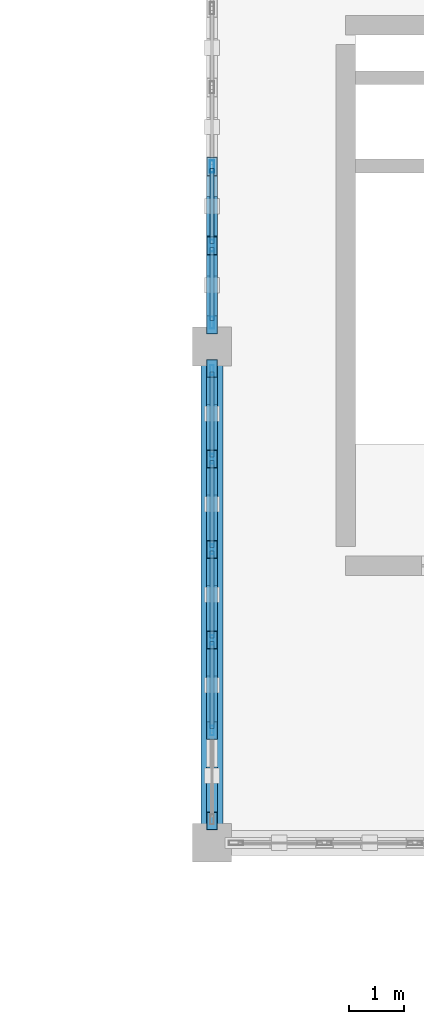
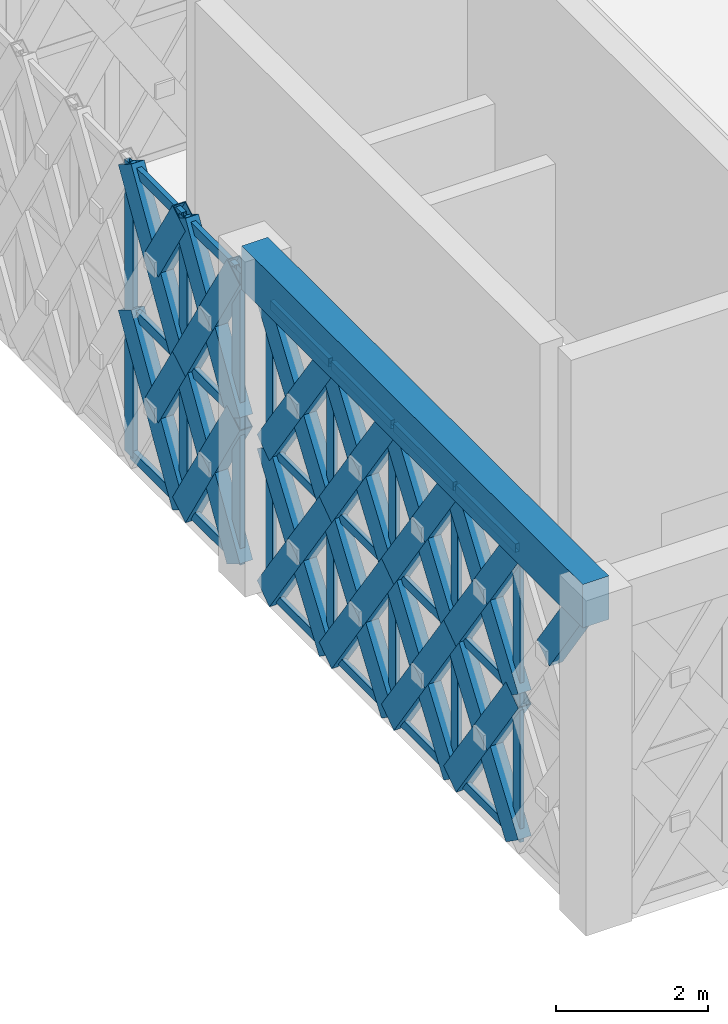
# One storey, part 35 of 72: 61 members, 1 beam, 2 elements without a shape of their own.
"""IFC4 building model written with IfcOpenShell, lengths in metres."""

from ifc_helpers import new_model, si_unit, direction, frame, origin, origin_2d, place, context, subcontext, project, spatial, rectangle, hollow_rectangle, extrude, material, material_profile, profile_set, type_object, element, aggregate, save


model = new_model("IFC4")

# Units and contexts
model_context = context("Model", 3, precision=1e-05, world=origin(), true_north=direction((0.0, 1.0)))
body_context = subcontext(model_context, "Body", "Model", "MODEL_VIEW")
ifc_project = project(units=[si_unit("LENGTHUNIT", "METRE"), si_unit("AREAUNIT", "SQUARE_METRE"), si_unit("VOLUMEUNIT", "CUBIC_METRE"), si_unit("PLANEANGLEUNIT", "RADIAN"), si_unit("MASSUNIT", "GRAM", prefix="KILO")], contexts=[model_context])

# Site, building, storey
site_placement = place(None, origin())
site = spatial("IfcSite", under=ifc_project, at=site_placement, CompositionType="ELEMENT")
building_placement = place(site_placement, origin())
building = spatial("IfcBuilding", under=site, at=building_placement, Name="Haizhuo Lancet Aquarium", CompositionType="ELEMENT")
storey_placement = place(building_placement, frame((0.0, 0.0, 21.60009765625)))
storey = spatial("IfcBuildingStorey", under=building, at=storey_placement, Name="L04", CompositionType="ELEMENT", Elevation=21.60009765625)

# Beam
ifc_material_1 = material(Name="Concrete C40/50", Category="concrete")
ifc_material_profile_1 = material_profile(ifc_material_1, rectangle(XDim=0.39990234375, YDim=0.699951171875, at=origin_2d()), Name="RC-BM 400x700")
ifc_profile_set_1 = profile_set([ifc_material_profile_1], Name="Concrete C40/50")
beam_type = type_object("IfcBeamType", Name="BM-RC-400x700", PredefinedType="BEAM", material=ifc_profile_set_1)
beam_placement = place(storey_placement, frame((-27.0, 36.0, 5.0498046875), z_axis=(0.0, 1.0, 0.0), x_axis=(-1.0, 0.0, 0.0)))
element("IfcBeam", 1, at=beam_placement, inside=storey, type_object=beam_type, Name="L04 V5 primary girder BM-L04-V5-001", PredefinedType="BEAM", context=body_context, shape_type="SweptSolid", body=[
    extrude(rectangle(XDim=0.39990234375, YDim=0.699951171875, at=origin_2d()), origin(), (0.0, 0.0, 1.0), 9.0),
])

# Curtain wall, members
ifc_material_2 = material(Name="Aluminium 6063-T6", Category="aluminium")
curtain_wall_type_1 = type_object("IfcCurtainWallType", Name="CWD-8210x4700", PredefinedType="NOTDEFINED", material=ifc_material_2)
curtain_wall_1_placement = place(storey_placement, origin())
curtain_wall_1 = element("IfcCurtainWall", 2, at=curtain_wall_1_placement, inside=storey, type_object=curtain_wall_type_1, Name="L04 curtain wall CW-V5-L04-190", PredefinedType="NOTDEFINED")
ifc_material_profile_2 = material_profile(ifc_material_2, hollow_rectangle(XDim=0.06494140625, YDim=0.179931640625, WallThickness=0.00390625, at=origin_2d()), Name="ALU-M 65x180x4")
ifc_profile_set_2 = profile_set([ifc_material_profile_2], Name="Aluminium 6063-T6")
member_type_1 = type_object("IfcMemberType", Name="CW-MUL-1", PredefinedType="MULLION", material=ifc_profile_set_2)
member_1_placement = place(storey_placement, frame((-27.0, 38.037109375, 0.0), z_axis=(0.0, 0.0, 1.0), x_axis=(-1.0, 0.0, 0.0)))
member_1 = element("IfcMember", 3, at=member_1_placement, type_object=member_type_1, Name="CWD-82x47 mullion 2", PredefinedType="MULLION", context=body_context, shape_type="SweptSolid", body=[
    extrude(hollow_rectangle(XDim=0.06494140625, YDim=0.179931640625, WallThickness=0.00390625, at=origin_2d()), origin(), (0.0, 0.0, 1.0), 4.699951171875),
])
member_2_placement = place(storey_placement, frame((-27.0, 39.678955078125, 0.0), z_axis=(0.0, 0.0, 1.0), x_axis=(-1.0, 0.0, 0.0)))
member_2 = element("IfcMember", 4, at=member_2_placement, type_object=member_type_1, Name="CWD-82x47 mullion 3", PredefinedType="MULLION", context=body_context, shape_type="SweptSolid", body=[
    extrude(hollow_rectangle(XDim=0.06494140625, YDim=0.179931640625, WallThickness=0.00390625, at=origin_2d()), origin(), (0.0, 0.0, 1.0), 4.699951171875),
])
member_3_placement = place(storey_placement, frame((-27.0, 41.321044921875, 0.0), z_axis=(0.0, 0.0, 1.0), x_axis=(-1.0, 0.0, 0.0)))
member_3 = element("IfcMember", 5, at=member_3_placement, type_object=member_type_1, Name="CWD-82x47 mullion 4", PredefinedType="MULLION", context=body_context, shape_type="SweptSolid", body=[
    extrude(hollow_rectangle(XDim=0.06494140625, YDim=0.179931640625, WallThickness=0.00390625, at=origin_2d()), origin(), (0.0, 0.0, 1.0), 4.699951171875),
])
member_4_placement = place(storey_placement, frame((-27.0, 42.962890625, 0.0), z_axis=(0.0, 0.0, 1.0), x_axis=(-1.0, 0.0, 0.0)))
member_4 = element("IfcMember", 6, at=member_4_placement, type_object=member_type_1, Name="CWD-82x47 mullion 5", PredefinedType="MULLION", context=body_context, shape_type="SweptSolid", body=[
    extrude(hollow_rectangle(XDim=0.06494140625, YDim=0.179931640625, WallThickness=0.00390625, at=origin_2d()), origin(), (0.0, 0.0, 1.0), 4.699951171875),
])
member_5_placement = place(storey_placement, frame((-27.0, 44.572021484375, 0.0), z_axis=(0.0, 0.0, 1.0), x_axis=(-1.0, 0.0, 0.0)))
member_5 = element("IfcMember", 7, at=member_5_placement, type_object=member_type_1, Name="CWD-82x47 mullion 6", PredefinedType="MULLION", context=body_context, shape_type="SweptSolid", body=[
    extrude(hollow_rectangle(XDim=0.06494140625, YDim=0.179931640625, WallThickness=0.00390625, at=origin_2d()), origin(), (0.0, 0.0, 1.0), 4.699951171875),
])

curtain_wall_type_2 = type_object("IfcCurtainWallType", Name="CWD-8600x4700", PredefinedType="NOTDEFINED", material=ifc_material_2)
curtain_wall_2_placement = place(storey_placement, origin())
curtain_wall_2 = element("IfcCurtainWall", 8, at=curtain_wall_2_placement, inside=storey, type_object=curtain_wall_type_2, Name="L04 curtain wall CW-V5-L04-191", PredefinedType="NOTDEFINED")
ifc_material_profile_3 = material_profile(ifc_material_2, hollow_rectangle(XDim=0.074951171875, YDim=0.219970703125, WallThickness=0.0048828125, at=origin_2d()), Name="ALU-M 75x220x5")
ifc_profile_set_3 = profile_set([ifc_material_profile_3], Name="Aluminium 6063-T6")
member_type_2 = type_object("IfcMemberType", Name="CW-MUL-2", PredefinedType="MULLION", material=ifc_profile_set_3)
member_6_placement = place(storey_placement, frame((-27.0, 45.43310546875, 0.0), z_axis=(0.0, 0.0, 1.0), x_axis=(-1.0, 0.0, 0.0)))
member_6 = element("IfcMember", 9, at=member_6_placement, type_object=member_type_2, Name="CWD-86x47 mullion 1", PredefinedType="MULLION", context=body_context, shape_type="SweptSolid", body=[
    extrude(hollow_rectangle(XDim=0.074951171875, YDim=0.219970703125, WallThickness=0.0048828125, at=origin_2d()), origin(), (0.0, 0.0, 1.0), 4.699951171875),
])
member_7_placement = place(storey_placement, frame((-27.0, 46.8291015625, 0.0), z_axis=(0.0, 0.0, 1.0), x_axis=(-1.0, 0.0, 0.0)))
member_7 = element("IfcMember", 10, at=member_7_placement, type_object=member_type_2, Name="CWD-86x47 mullion 2", PredefinedType="MULLION", context=body_context, shape_type="SweptSolid", body=[
    extrude(hollow_rectangle(XDim=0.074951171875, YDim=0.219970703125, WallThickness=0.0048828125, at=origin_2d()), origin(), (0.0, 0.0, 1.0), 4.699951171875),
])
member_8_placement = place(storey_placement, frame((-27.0, 48.262939453125, 0.0), z_axis=(0.0, 0.0, 1.0), x_axis=(-1.0, 0.0, 0.0)))
member_8 = element("IfcMember", 11, at=member_8_placement, type_object=member_type_2, Name="CWD-86x47 mullion 3", PredefinedType="MULLION", context=body_context, shape_type="SweptSolid", body=[
    extrude(hollow_rectangle(XDim=0.074951171875, YDim=0.219970703125, WallThickness=0.0048828125, at=origin_2d()), origin(), (0.0, 0.0, 1.0), 4.699951171875),
])

# Member
ifc_material_profile_4 = material_profile(ifc_material_2, hollow_rectangle(XDim=0.06494140625, YDim=0.139892578125, WallThickness=0.00390625, at=origin_2d()), Name="ALU-T 65x140x4")
ifc_profile_set_4 = profile_set([ifc_material_profile_4], Name="Aluminium 6063-T6")
member_type_3 = type_object("IfcMemberType", Name="CW-TRN-1", PredefinedType="NOTDEFINED", material=ifc_profile_set_4)
member_9_placement = place(storey_placement, frame((-27.0, 38.070068359375, 0.032958984375), z_axis=(0.0, 1.0, 0.0), x_axis=(-1.0, 0.0, 0.0)))
member_9 = element("IfcMember", 12, at=member_9_placement, type_object=member_type_3, Name="CWD-82x47 transom 2.1", ObjectType="TRANSOM", PredefinedType="USERDEFINED", context=body_context, shape_type="SweptSolid", body=[
    extrude(hollow_rectangle(XDim=0.06494140625, YDim=0.139892578125, WallThickness=0.00390625, at=origin_2d()), origin(), (0.0, 0.0, 1.0), 1.576904296875),
])

member_10_placement = place(storey_placement, frame((-27.0, 38.070068359375, 2.349853515625), z_axis=(0.0, 1.0, 0.0), x_axis=(-1.0, 0.0, 0.0)))
member_10 = element("IfcMember", 13, at=member_10_placement, type_object=member_type_3, Name="CWD-82x47 transom 2.2", ObjectType="TRANSOM", PredefinedType="USERDEFINED", context=body_context, shape_type="SweptSolid", body=[
    extrude(hollow_rectangle(XDim=0.06494140625, YDim=0.139892578125, WallThickness=0.00390625, at=origin_2d()), origin(), (0.0, 0.0, 1.0), 1.576904296875),
])

member_11_placement = place(storey_placement, frame((-27.0, 38.070068359375, 4.66796875), z_axis=(0.0, 1.0, 0.0), x_axis=(-1.0, 0.0, 0.0)))
member_11 = element("IfcMember", 14, at=member_11_placement, type_object=member_type_3, Name="CWD-82x47 transom 2.3", ObjectType="TRANSOM", PredefinedType="USERDEFINED", context=body_context, shape_type="SweptSolid", body=[
    extrude(hollow_rectangle(XDim=0.06494140625, YDim=0.139892578125, WallThickness=0.00390625, at=origin_2d()), origin(), (0.0, 0.0, 1.0), 1.576904296875),
])

member_12_placement = place(storey_placement, frame((-27.0, 39.7119140625, 0.032958984375), z_axis=(0.0, 1.0, 0.0), x_axis=(-1.0, 0.0, 0.0)))
member_12 = element("IfcMember", 15, at=member_12_placement, type_object=member_type_3, Name="CWD-82x47 transom 3.1", ObjectType="TRANSOM", PredefinedType="USERDEFINED", context=body_context, shape_type="SweptSolid", body=[
    extrude(hollow_rectangle(XDim=0.06494140625, YDim=0.139892578125, WallThickness=0.00390625, at=origin_2d()), origin(), (0.0, 0.0, 1.0), 1.576171875),
])

member_13_placement = place(storey_placement, frame((-27.0, 39.7119140625, 2.349853515625), z_axis=(0.0, 1.0, 0.0), x_axis=(-1.0, 0.0, 0.0)))
member_13 = element("IfcMember", 16, at=member_13_placement, type_object=member_type_3, Name="CWD-82x47 transom 3.2", ObjectType="TRANSOM", PredefinedType="USERDEFINED", context=body_context, shape_type="SweptSolid", body=[
    extrude(hollow_rectangle(XDim=0.06494140625, YDim=0.139892578125, WallThickness=0.00390625, at=origin_2d()), origin(), (0.0, 0.0, 1.0), 1.576171875),
])

member_14_placement = place(storey_placement, frame((-27.0, 39.7119140625, 4.66796875), z_axis=(0.0, 1.0, 0.0), x_axis=(-1.0, 0.0, 0.0)))
member_14 = element("IfcMember", 17, at=member_14_placement, type_object=member_type_3, Name="CWD-82x47 transom 3.3", ObjectType="TRANSOM", PredefinedType="USERDEFINED", context=body_context, shape_type="SweptSolid", body=[
    extrude(hollow_rectangle(XDim=0.06494140625, YDim=0.139892578125, WallThickness=0.00390625, at=origin_2d()), origin(), (0.0, 0.0, 1.0), 1.576171875),
])

member_15_placement = place(storey_placement, frame((-27.0, 41.35302734375, 0.032958984375), z_axis=(0.0, 1.0, 0.0), x_axis=(-1.0, 0.0, 0.0)))
member_15 = element("IfcMember", 18, at=member_15_placement, type_object=member_type_3, Name="CWD-82x47 transom 4.1", ObjectType="TRANSOM", PredefinedType="USERDEFINED", context=body_context, shape_type="SweptSolid", body=[
    extrude(hollow_rectangle(XDim=0.06494140625, YDim=0.139892578125, WallThickness=0.00390625, at=origin_2d()), origin(), (0.0, 0.0, 1.0), 1.576904296875),
])

member_16_placement = place(storey_placement, frame((-27.0, 41.35302734375, 2.349853515625), z_axis=(0.0, 1.0, 0.0), x_axis=(-1.0, 0.0, 0.0)))
member_16 = element("IfcMember", 19, at=member_16_placement, type_object=member_type_3, Name="CWD-82x47 transom 4.2", ObjectType="TRANSOM", PredefinedType="USERDEFINED", context=body_context, shape_type="SweptSolid", body=[
    extrude(hollow_rectangle(XDim=0.06494140625, YDim=0.139892578125, WallThickness=0.00390625, at=origin_2d()), origin(), (0.0, 0.0, 1.0), 1.576904296875),
])

member_17_placement = place(storey_placement, frame((-27.0, 41.35302734375, 4.66796875), z_axis=(0.0, 1.0, 0.0), x_axis=(-1.0, 0.0, 0.0)))
member_17 = element("IfcMember", 20, at=member_17_placement, type_object=member_type_3, Name="CWD-82x47 transom 4.3", ObjectType="TRANSOM", PredefinedType="USERDEFINED", context=body_context, shape_type="SweptSolid", body=[
    extrude(hollow_rectangle(XDim=0.06494140625, YDim=0.139892578125, WallThickness=0.00390625, at=origin_2d()), origin(), (0.0, 0.0, 1.0), 1.576904296875),
])

member_18_placement = place(storey_placement, frame((-27.0, 42.9951171875, 0.032958984375), z_axis=(0.0, 1.0, 0.0), x_axis=(-1.0, 0.0, 0.0)))
member_18 = element("IfcMember", 21, at=member_18_placement, type_object=member_type_3, Name="CWD-82x47 transom 5.1", ObjectType="TRANSOM", PredefinedType="USERDEFINED", context=body_context, shape_type="SweptSolid", body=[
    extrude(hollow_rectangle(XDim=0.06494140625, YDim=0.139892578125, WallThickness=0.00390625, at=origin_2d()), origin(), (0.0, 0.0, 1.0), 1.544921875),
])

member_19_placement = place(storey_placement, frame((-27.0, 42.9951171875, 2.349853515625), z_axis=(0.0, 1.0, 0.0), x_axis=(-1.0, 0.0, 0.0)))
member_19 = element("IfcMember", 22, at=member_19_placement, type_object=member_type_3, Name="CWD-82x47 transom 5.2", ObjectType="TRANSOM", PredefinedType="USERDEFINED", context=body_context, shape_type="SweptSolid", body=[
    extrude(hollow_rectangle(XDim=0.06494140625, YDim=0.139892578125, WallThickness=0.00390625, at=origin_2d()), origin(), (0.0, 0.0, 1.0), 1.544921875),
])

member_20_placement = place(storey_placement, frame((-27.0, 42.9951171875, 4.66796875), z_axis=(0.0, 1.0, 0.0), x_axis=(-1.0, 0.0, 0.0)))
member_20 = element("IfcMember", 23, at=member_20_placement, type_object=member_type_3, Name="CWD-82x47 transom 5.3", ObjectType="TRANSOM", PredefinedType="USERDEFINED", context=body_context, shape_type="SweptSolid", body=[
    extrude(hollow_rectangle(XDim=0.06494140625, YDim=0.139892578125, WallThickness=0.00390625, at=origin_2d()), origin(), (0.0, 0.0, 1.0), 1.544921875),
])

aggregate(curtain_wall_1, [member_1, member_2, member_3, member_4, member_5, member_9, member_10, member_11, member_12, member_13, member_14, member_15, member_16, member_17, member_18, member_19, member_20])

ifc_material_profile_5 = material_profile(ifc_material_2, hollow_rectangle(XDim=0.074951171875, YDim=0.159912109375, WallThickness=0.00390625, at=origin_2d()), Name="ALU-T 75x160x4")
ifc_profile_set_5 = profile_set([ifc_material_profile_5], Name="Aluminium 6063-T6")
member_type_4 = type_object("IfcMemberType", Name="CW-TRN-2", PredefinedType="NOTDEFINED", material=ifc_profile_set_5)
member_21_placement = place(storey_placement, frame((-27.0, 45.469970703125, 0.037841796875), z_axis=(0.0, 1.0, 0.0), x_axis=(-1.0, 0.0, 0.0)))
member_21 = element("IfcMember", 24, at=member_21_placement, type_object=member_type_4, Name="CWD-86x47 transom 1.1", ObjectType="TRANSOM", PredefinedType="USERDEFINED", context=body_context, shape_type="SweptSolid", body=[
    extrude(hollow_rectangle(XDim=0.074951171875, YDim=0.159912109375, WallThickness=0.00390625, at=origin_2d()), origin(), (0.0, 0.0, 1.0), 1.322021484375),
])

member_22_placement = place(storey_placement, frame((-27.0, 45.469970703125, 2.349853515625), z_axis=(0.0, 1.0, 0.0), x_axis=(-1.0, 0.0, 0.0)))
member_22 = element("IfcMember", 25, at=member_22_placement, type_object=member_type_4, Name="CWD-86x47 transom 1.2", ObjectType="TRANSOM", PredefinedType="USERDEFINED", context=body_context, shape_type="SweptSolid", body=[
    extrude(hollow_rectangle(XDim=0.074951171875, YDim=0.159912109375, WallThickness=0.00390625, at=origin_2d()), origin(), (0.0, 0.0, 1.0), 1.322021484375),
])

member_23_placement = place(storey_placement, frame((-27.0, 45.469970703125, 4.661865234375), z_axis=(0.0, 1.0, 0.0), x_axis=(-1.0, 0.0, 0.0)))
member_23 = element("IfcMember", 26, at=member_23_placement, type_object=member_type_4, Name="CWD-86x47 transom 1.3", ObjectType="TRANSOM", PredefinedType="USERDEFINED", context=body_context, shape_type="SweptSolid", body=[
    extrude(hollow_rectangle(XDim=0.074951171875, YDim=0.159912109375, WallThickness=0.00390625, at=origin_2d()), origin(), (0.0, 0.0, 1.0), 1.322021484375),
])

member_24_placement = place(storey_placement, frame((-27.0, 46.866943359375, 0.037841796875), z_axis=(0.0, 1.0, 0.0), x_axis=(-1.0, 0.0, 0.0)))
member_24 = element("IfcMember", 27, at=member_24_placement, type_object=member_type_4, Name="CWD-86x47 transom 2.1", ObjectType="TRANSOM", PredefinedType="USERDEFINED", context=body_context, shape_type="SweptSolid", body=[
    extrude(hollow_rectangle(XDim=0.074951171875, YDim=0.159912109375, WallThickness=0.00390625, at=origin_2d()), origin(), (0.0, 0.0, 1.0), 1.359130859375),
])

member_25_placement = place(storey_placement, frame((-27.0, 46.866943359375, 2.349853515625), z_axis=(0.0, 1.0, 0.0), x_axis=(-1.0, 0.0, 0.0)))
member_25 = element("IfcMember", 28, at=member_25_placement, type_object=member_type_4, Name="CWD-86x47 transom 2.2", ObjectType="TRANSOM", PredefinedType="USERDEFINED", context=body_context, shape_type="SweptSolid", body=[
    extrude(hollow_rectangle(XDim=0.074951171875, YDim=0.159912109375, WallThickness=0.00390625, at=origin_2d()), origin(), (0.0, 0.0, 1.0), 1.359130859375),
])

member_26_placement = place(storey_placement, frame((-27.0, 46.866943359375, 4.661865234375), z_axis=(0.0, 1.0, 0.0), x_axis=(-1.0, 0.0, 0.0)))
member_26 = element("IfcMember", 29, at=member_26_placement, type_object=member_type_4, Name="CWD-86x47 transom 2.3", ObjectType="TRANSOM", PredefinedType="USERDEFINED", context=body_context, shape_type="SweptSolid", body=[
    extrude(hollow_rectangle(XDim=0.074951171875, YDim=0.159912109375, WallThickness=0.00390625, at=origin_2d()), origin(), (0.0, 0.0, 1.0), 1.359130859375),
])

aggregate(curtain_wall_2, [member_6, member_7, member_8, member_21, member_22, member_23, member_24, member_25, member_26])

# Members
ifc_material_3 = material(Name="Steel S355", Category="steel")
ifc_material_profile_6 = material_profile(ifc_material_3, hollow_rectangle(XDim=0.199951171875, YDim=0.39990234375, WallThickness=0.011962890625, at=origin_2d()), Name="RHS 200x400x12")
ifc_profile_set_6 = profile_set([ifc_material_profile_6], Name="Steel S355")
member_type_5 = type_object("IfcMemberType", Name="MEM-LB-RHS200x400", PredefinedType="BRACE", material=ifc_profile_set_6)
member_27_placement = place(storey_placement, frame((-27.0, 37.216064453125, 3.52490234375), z_axis=(0.0, -0.572764879343, 0.819719703918), x_axis=(1.0, 0.0, 0.0)))
element("IfcMember", 30, at=member_27_placement, inside=storey, type_object=member_type_5, Name="Gothic lancet split diagonal brace CW-V5-L04-190 2B2", PredefinedType="BRACE", context=body_context, shape_type="SweptSolid", body=[
    extrude(hollow_rectangle(XDim=0.199951171875, YDim=0.39990234375, WallThickness=0.011962890625, at=origin_2d()), origin(), (0.0, 0.0, 1.0), 1.43359375),
])
member_28_placement = place(storey_placement, frame((-27.0, 38.037109375, 0.0), z_axis=(0.0, 0.572747638555, 0.819731750349), x_axis=(-1.0, 0.0, 0.0)))
element("IfcMember", 31, at=member_28_placement, inside=storey, type_object=member_type_5, Name="Gothic lancet continuous diagonal brace CW-V5-L04-190 3A", PredefinedType="BRACE", context=body_context, shape_type="SweptSolid", body=[
    extrude(hollow_rectangle(XDim=0.199951171875, YDim=0.39990234375, WallThickness=0.011962890625, at=origin_2d()), origin(), (0.0, 0.0, 1.0), 2.86669921875),
])
for number, where, z_axis, x_axis, name in (
    (32, (-27.0, 39.678955078125, 0.0), (0.0, -0.572844851184, 0.819663819179), (1.0, 0.0, 0.0), "Gothic lancet split diagonal brace CW-V5-L04-190 3B1"),
    (33, (-27.0, 38.85791015625, 1.1748046875), (0.0, -0.57265042196, 0.819799667131), (1.0, 0.0, 0.0), "Gothic lancet split diagonal brace CW-V5-L04-190 3B2"),
):
    element("IfcMember", number, at=place(storey_placement, frame(where, z_axis=z_axis, x_axis=x_axis)), inside=storey, type_object=member_type_5, Name=name, PredefinedType="BRACE", context=body_context, shape_type="SweptSolid", body=[
        extrude(hollow_rectangle(XDim=0.199951171875, YDim=0.39990234375, WallThickness=0.011962890625, at=origin_2d()), origin(), (0.0, 0.0, 1.0), 1.433349609375),
    ])
member_29_placement = place(storey_placement, frame((-27.0, 38.037109375, 2.349853515625), z_axis=(0.0, 0.572707654838, 0.819759685572), x_axis=(-1.0, 0.0, 0.0)))
element("IfcMember", 34, at=member_29_placement, inside=storey, type_object=member_type_5, Name="Gothic lancet continuous diagonal brace CW-V5-L04-190 4A", PredefinedType="BRACE", context=body_context, shape_type="SweptSolid", body=[
    extrude(hollow_rectangle(XDim=0.199951171875, YDim=0.39990234375, WallThickness=0.011962890625, at=origin_2d()), origin(), (0.0, 0.0, 1.0), 2.86669921875),
])
member_30_placement = place(storey_placement, frame((-27.0, 39.678955078125, 2.349853515625), z_axis=(0.0, -0.572764879343, 0.819719703918), x_axis=(1.0, 0.0, 0.0)))
element("IfcMember", 35, at=member_30_placement, inside=storey, type_object=member_type_5, Name="Gothic lancet split diagonal brace CW-V5-L04-190 4B1", PredefinedType="BRACE", context=body_context, shape_type="SweptSolid", body=[
    extrude(hollow_rectangle(XDim=0.199951171875, YDim=0.39990234375, WallThickness=0.011962890625, at=origin_2d()), origin(), (0.0, 0.0, 1.0), 1.43359375),
])
member_31_placement = place(storey_placement, frame((-27.0, 38.85791015625, 3.52490234375), z_axis=(0.0, -0.57265042196, 0.819799667131), x_axis=(1.0, 0.0, 0.0)))
element("IfcMember", 36, at=member_31_placement, inside=storey, type_object=member_type_5, Name="Gothic lancet split diagonal brace CW-V5-L04-190 4B2", PredefinedType="BRACE", context=body_context, shape_type="SweptSolid", body=[
    extrude(hollow_rectangle(XDim=0.199951171875, YDim=0.39990234375, WallThickness=0.011962890625, at=origin_2d()), origin(), (0.0, 0.0, 1.0), 1.433349609375),
])
member_32_placement = place(storey_placement, frame((-27.0, 39.678955078125, 0.0), z_axis=(0.0, 0.572804863154, 0.819691764475), x_axis=(-1.0, 0.0, 0.0)))
element("IfcMember", 37, at=member_32_placement, inside=storey, type_object=member_type_5, Name="Gothic lancet continuous diagonal brace CW-V5-L04-190 5A", PredefinedType="BRACE", context=body_context, shape_type="SweptSolid", body=[
    extrude(hollow_rectangle(XDim=0.199951171875, YDim=0.39990234375, WallThickness=0.011962890625, at=origin_2d()), origin(), (0.0, 0.0, 1.0), 2.86669921875),
])
member_33_placement = place(storey_placement, frame((-27.0, 41.321044921875, 0.0), z_axis=(0.0, -0.572844851184, 0.819663819179), x_axis=(1.0, 0.0, 0.0)))
element("IfcMember", 38, at=member_33_placement, inside=storey, type_object=member_type_5, Name="Gothic lancet split diagonal brace CW-V5-L04-190 5B1", PredefinedType="BRACE", context=body_context, shape_type="SweptSolid", body=[
    extrude(hollow_rectangle(XDim=0.199951171875, YDim=0.39990234375, WallThickness=0.011962890625, at=origin_2d()), origin(), (0.0, 0.0, 1.0), 1.433349609375),
])
member_34_placement = place(storey_placement, frame((-27.0, 40.5, 1.1748046875), z_axis=(0.0, -0.572764879343, 0.819719703918), x_axis=(1.0, 0.0, 0.0)))
element("IfcMember", 39, at=member_34_placement, inside=storey, type_object=member_type_5, Name="Gothic lancet split diagonal brace CW-V5-L04-190 5B2", PredefinedType="BRACE", context=body_context, shape_type="SweptSolid", body=[
    extrude(hollow_rectangle(XDim=0.199951171875, YDim=0.39990234375, WallThickness=0.011962890625, at=origin_2d()), origin(), (0.0, 0.0, 1.0), 1.43359375),
])
member_35_placement = place(storey_placement, frame((-27.0, 39.678955078125, 2.349853515625), z_axis=(0.0, 0.572764879343, 0.819719703918), x_axis=(-1.0, 0.0, 0.0)))
element("IfcMember", 40, at=member_35_placement, inside=storey, type_object=member_type_5, Name="Gothic lancet continuous diagonal brace CW-V5-L04-190 6A", PredefinedType="BRACE", context=body_context, shape_type="SweptSolid", body=[
    extrude(hollow_rectangle(XDim=0.199951171875, YDim=0.39990234375, WallThickness=0.011962890625, at=origin_2d()), origin(), (0.0, 0.0, 1.0), 2.866943359375),
])
for number, where, z_axis, x_axis, name in (
    (41, (-27.0, 41.321044921875, 2.349853515625), (0.0, -0.572764879343, 0.819719703918), (1.0, 0.0, 0.0), "Gothic lancet split diagonal brace CW-V5-L04-190 6B1"),
    (42, (-27.0, 40.5, 3.52490234375), (0.0, -0.572764879343, 0.819719703918), (1.0, 0.0, 0.0), "Gothic lancet split diagonal brace CW-V5-L04-190 6B2"),
):
    element("IfcMember", number, at=place(storey_placement, frame(where, z_axis=z_axis, x_axis=x_axis)), inside=storey, type_object=member_type_5, Name=name, PredefinedType="BRACE", context=body_context, shape_type="SweptSolid", body=[
        extrude(hollow_rectangle(XDim=0.199951171875, YDim=0.39990234375, WallThickness=0.011962890625, at=origin_2d()), origin(), (0.0, 0.0, 1.0), 1.43359375),
    ])
member_36_placement = place(storey_placement, frame((-27.0, 41.321044921875, 0.0), z_axis=(0.0, 0.572747638555, 0.819731750349), x_axis=(-1.0, 0.0, 0.0)))
element("IfcMember", 43, at=member_36_placement, inside=storey, type_object=member_type_5, Name="Gothic lancet continuous diagonal brace CW-V5-L04-190 7A", PredefinedType="BRACE", context=body_context, shape_type="SweptSolid", body=[
    extrude(hollow_rectangle(XDim=0.199951171875, YDim=0.39990234375, WallThickness=0.011962890625, at=origin_2d()), origin(), (0.0, 0.0, 1.0), 2.86669921875),
])
member_37_placement = place(storey_placement, frame((-27.0, 42.962890625, 0.0), z_axis=(0.0, -0.572730393424, 0.819743799274), x_axis=(1.0, 0.0, 0.0)))
element("IfcMember", 44, at=member_37_placement, inside=storey, type_object=member_type_5, Name="Gothic lancet split diagonal brace CW-V5-L04-190 7B1", PredefinedType="BRACE", context=body_context, shape_type="SweptSolid", body=[
    extrude(hollow_rectangle(XDim=0.199951171875, YDim=0.39990234375, WallThickness=0.011962890625, at=origin_2d()), origin(), (0.0, 0.0, 1.0), 1.43310546875),
])
member_38_placement = place(storey_placement, frame((-27.0, 42.14208984375, 1.1748046875), z_axis=(0.0, -0.572764879343, 0.819719703918), x_axis=(1.0, 0.0, 0.0)))
element("IfcMember", 45, at=member_38_placement, inside=storey, type_object=member_type_5, Name="Gothic lancet split diagonal brace CW-V5-L04-190 7B2", PredefinedType="BRACE", context=body_context, shape_type="SweptSolid", body=[
    extrude(hollow_rectangle(XDim=0.199951171875, YDim=0.39990234375, WallThickness=0.011962890625, at=origin_2d()), origin(), (0.0, 0.0, 1.0), 1.43359375),
])
member_39_placement = place(storey_placement, frame((-27.0, 41.321044921875, 2.349853515625), z_axis=(0.0, 0.572707654838, 0.819759685572), x_axis=(-1.0, 0.0, 0.0)))
element("IfcMember", 46, at=member_39_placement, inside=storey, type_object=member_type_5, Name="Gothic lancet continuous diagonal brace CW-V5-L04-190 8A", PredefinedType="BRACE", context=body_context, shape_type="SweptSolid", body=[
    extrude(hollow_rectangle(XDim=0.199951171875, YDim=0.39990234375, WallThickness=0.011962890625, at=origin_2d()), origin(), (0.0, 0.0, 1.0), 2.86669921875),
])
member_40_placement = place(storey_placement, frame((-27.0, 42.962890625, 2.349853515625), z_axis=(0.0, -0.57265042196, 0.819799667131), x_axis=(1.0, 0.0, 0.0)))
element("IfcMember", 47, at=member_40_placement, inside=storey, type_object=member_type_5, Name="Gothic lancet split diagonal brace CW-V5-L04-190 8B1", PredefinedType="BRACE", context=body_context, shape_type="SweptSolid", body=[
    extrude(hollow_rectangle(XDim=0.199951171875, YDim=0.39990234375, WallThickness=0.011962890625, at=origin_2d()), origin(), (0.0, 0.0, 1.0), 1.433349609375),
])
member_41_placement = place(storey_placement, frame((-27.0, 42.14208984375, 3.52490234375), z_axis=(0.0, -0.572764879343, 0.819719703918), x_axis=(1.0, 0.0, 0.0)))
element("IfcMember", 48, at=member_41_placement, inside=storey, type_object=member_type_5, Name="Gothic lancet split diagonal brace CW-V5-L04-190 8B2", PredefinedType="BRACE", context=body_context, shape_type="SweptSolid", body=[
    extrude(hollow_rectangle(XDim=0.199951171875, YDim=0.39990234375, WallThickness=0.011962890625, at=origin_2d()), origin(), (0.0, 0.0, 1.0), 1.43359375),
])
member_42_placement = place(storey_placement, frame((-27.0, 42.962890625, 0.0), z_axis=(0.0, 0.572804863154, 0.819691764475), x_axis=(-1.0, 0.0, 0.0)))
element("IfcMember", 49, at=member_42_placement, inside=storey, type_object=member_type_5, Name="Gothic lancet continuous diagonal brace CW-V5-L04-190 9A", PredefinedType="BRACE", context=body_context, shape_type="SweptSolid", body=[
    extrude(hollow_rectangle(XDim=0.199951171875, YDim=0.39990234375, WallThickness=0.011962890625, at=origin_2d()), origin(), (0.0, 0.0, 1.0), 2.86669921875),
])
member_43_placement = place(storey_placement, frame((-27.0, 44.60498046875, 0.0), z_axis=(0.0, -0.572844851184, 0.819663819179), x_axis=(1.0, 0.0, 0.0)))
element("IfcMember", 50, at=member_43_placement, inside=storey, type_object=member_type_5, Name="Gothic lancet split diagonal brace CW-V5-L04-190 9B1", PredefinedType="BRACE", context=body_context, shape_type="SweptSolid", body=[
    extrude(hollow_rectangle(XDim=0.199951171875, YDim=0.39990234375, WallThickness=0.011962890625, at=origin_2d()), origin(), (0.0, 0.0, 1.0), 1.433349609375),
])
member_44_placement = place(storey_placement, frame((-27.0, 43.783935546875, 1.1748046875), z_axis=(0.0, -0.572764879343, 0.819719703918), x_axis=(1.0, 0.0, 0.0)))
element("IfcMember", 51, at=member_44_placement, inside=storey, type_object=member_type_5, Name="Gothic lancet split diagonal brace CW-V5-L04-190 9B2", PredefinedType="BRACE", context=body_context, shape_type="SweptSolid", body=[
    extrude(hollow_rectangle(XDim=0.199951171875, YDim=0.39990234375, WallThickness=0.011962890625, at=origin_2d()), origin(), (0.0, 0.0, 1.0), 1.43359375),
])
member_45_placement = place(storey_placement, frame((-27.0, 42.962890625, 2.349853515625), z_axis=(0.0, 0.572764879343, 0.819719703918), x_axis=(-1.0, 0.0, 0.0)))
element("IfcMember", 52, at=member_45_placement, inside=storey, type_object=member_type_5, Name="Gothic lancet continuous diagonal brace CW-V5-L04-190 10A", PredefinedType="BRACE", context=body_context, shape_type="SweptSolid", body=[
    extrude(hollow_rectangle(XDim=0.199951171875, YDim=0.39990234375, WallThickness=0.011962890625, at=origin_2d()), origin(), (0.0, 0.0, 1.0), 2.866943359375),
])
for number, where, z_axis, x_axis, name in (
    (53, (-27.0, 44.60498046875, 2.349853515625), (0.0, -0.572764879343, 0.819719703918), (1.0, 0.0, 0.0), "Gothic lancet split diagonal brace CW-V5-L04-190 10B1"),
    (54, (-27.0, 43.783935546875, 3.52490234375), (0.0, -0.572764879343, 0.819719703918), (1.0, 0.0, 0.0), "Gothic lancet split diagonal brace CW-V5-L04-190 10B2"),
):
    element("IfcMember", number, at=place(storey_placement, frame(where, z_axis=z_axis, x_axis=x_axis)), inside=storey, type_object=member_type_5, Name=name, PredefinedType="BRACE", context=body_context, shape_type="SweptSolid", body=[
        extrude(hollow_rectangle(XDim=0.199951171875, YDim=0.39990234375, WallThickness=0.011962890625, at=origin_2d()), origin(), (0.0, 0.0, 1.0), 1.43359375),
    ])
member_46_placement = place(storey_placement, frame((-27.0, 45.39501953125, 0.0), z_axis=(0.0, 0.52093693604, 0.853595166732), x_axis=(-1.0, 0.0, 0.0)))
element("IfcMember", 55, at=member_46_placement, inside=storey, type_object=member_type_5, Name="Gothic lancet continuous diagonal brace CW-V5-L04-191 1A", PredefinedType="BRACE", context=body_context, shape_type="SweptSolid", body=[
    extrude(hollow_rectangle(XDim=0.199951171875, YDim=0.39990234375, WallThickness=0.011962890625, at=origin_2d()), origin(), (0.0, 0.0, 1.0), 2.7529296875),
])
member_47_placement = place(storey_placement, frame((-27.0, 46.8291015625, 0.0), z_axis=(0.0, -0.520976374056, 0.853571097024), x_axis=(1.0, 0.0, 0.0)))
element("IfcMember", 56, at=member_47_placement, inside=storey, type_object=member_type_5, Name="Gothic lancet split diagonal brace CW-V5-L04-191 1B1", PredefinedType="BRACE", context=body_context, shape_type="SweptSolid", body=[
    extrude(hollow_rectangle(XDim=0.199951171875, YDim=0.39990234375, WallThickness=0.011962890625, at=origin_2d()), origin(), (0.0, 0.0, 1.0), 1.376220703125),
])
member_48_placement = place(storey_placement, frame((-27.0, 46.112060546875, 1.1748046875), z_axis=(0.0, -0.520897502883, 0.853619230975), x_axis=(1.0, 0.0, 0.0)))
element("IfcMember", 57, at=member_48_placement, inside=storey, type_object=member_type_5, Name="Gothic lancet split diagonal brace CW-V5-L04-191 1B2", PredefinedType="BRACE", context=body_context, shape_type="SweptSolid", body=[
    extrude(hollow_rectangle(XDim=0.199951171875, YDim=0.39990234375, WallThickness=0.011962890625, at=origin_2d()), origin(), (0.0, 0.0, 1.0), 1.37646484375),
])
member_49_placement = place(storey_placement, frame((-27.0, 45.39501953125, 2.349853515625), z_axis=(0.0, 0.520897502883, 0.853619230975), x_axis=(-1.0, 0.0, 0.0)))
element("IfcMember", 58, at=member_49_placement, inside=storey, type_object=member_type_5, Name="Gothic lancet continuous diagonal brace CW-V5-L04-191 2A", PredefinedType="BRACE", context=body_context, shape_type="SweptSolid", body=[
    extrude(hollow_rectangle(XDim=0.199951171875, YDim=0.39990234375, WallThickness=0.011962890625, at=origin_2d()), origin(), (0.0, 0.0, 1.0), 2.753173828125),
])
for number, where, z_axis, x_axis, name in (
    (59, (-27.0, 46.8291015625, 2.349853515625), (0.0, -0.520897502883, 0.853619230975), (1.0, 0.0, 0.0), "Gothic lancet split diagonal brace CW-V5-L04-191 2B1"),
    (60, (-27.0, 46.112060546875, 3.52490234375), (0.0, -0.520897502883, 0.853619230975), (1.0, 0.0, 0.0), "Gothic lancet split diagonal brace CW-V5-L04-191 2B2"),
):
    element("IfcMember", number, at=place(storey_placement, frame(where, z_axis=z_axis, x_axis=x_axis)), inside=storey, type_object=member_type_5, Name=name, PredefinedType="BRACE", context=body_context, shape_type="SweptSolid", body=[
        extrude(hollow_rectangle(XDim=0.199951171875, YDim=0.39990234375, WallThickness=0.011962890625, at=origin_2d()), origin(), (0.0, 0.0, 1.0), 1.37646484375),
    ])
member_50_placement = place(storey_placement, frame((-27.0, 46.8291015625, 0.0), z_axis=(0.0, 0.520872313325, 0.853634601695), x_axis=(-1.0, 0.0, 0.0)))
element("IfcMember", 61, at=member_50_placement, inside=storey, type_object=member_type_5, Name="Gothic lancet continuous diagonal brace CW-V5-L04-191 3A", PredefinedType="BRACE", context=body_context, shape_type="SweptSolid", body=[
    extrude(hollow_rectangle(XDim=0.199951171875, YDim=0.39990234375, WallThickness=0.011962890625, at=origin_2d()), origin(), (0.0, 0.0, 1.0), 2.752685546875),
])
member_51_placement = place(storey_placement, frame((-27.0, 47.5458984375, 1.1748046875), z_axis=(0.0, -0.520768250996, 0.853698089933), x_axis=(1.0, 0.0, 0.0)))
element("IfcMember", 62, at=member_51_placement, inside=storey, type_object=member_type_5, Name="Gothic lancet split diagonal brace CW-V5-L04-191 3B2", PredefinedType="BRACE", context=body_context, shape_type="SweptSolid", body=[
    extrude(hollow_rectangle(XDim=0.199951171875, YDim=0.39990234375, WallThickness=0.011962890625, at=origin_2d()), origin(), (0.0, 0.0, 1.0), 1.37646484375),
])
member_52_placement = place(storey_placement, frame((-27.0, 46.8291015625, 2.349853515625), z_axis=(0.0, 0.520832881417, 0.853658661079), x_axis=(-1.0, 0.0, 0.0)))
element("IfcMember", 63, at=member_52_placement, inside=storey, type_object=member_type_5, Name="Gothic lancet continuous diagonal brace CW-V5-L04-191 4A", PredefinedType="BRACE", context=body_context, shape_type="SweptSolid", body=[
    extrude(hollow_rectangle(XDim=0.199951171875, YDim=0.39990234375, WallThickness=0.011962890625, at=origin_2d()), origin(), (0.0, 0.0, 1.0), 2.7529296875),
])
member_53_placement = place(storey_placement, frame((-27.0, 47.5458984375, 3.52490234375), z_axis=(0.0, -0.520768250996, 0.853698089933), x_axis=(1.0, 0.0, 0.0)))
element("IfcMember", 64, at=member_53_placement, inside=storey, type_object=member_type_5, Name="Gothic lancet split diagonal brace CW-V5-L04-191 4B2", PredefinedType="BRACE", context=body_context, shape_type="SweptSolid", body=[
    extrude(hollow_rectangle(XDim=0.199951171875, YDim=0.39990234375, WallThickness=0.011962890625, at=origin_2d()), origin(), (0.0, 0.0, 1.0), 1.37646484375),
])

save(model, "model.ifc")
